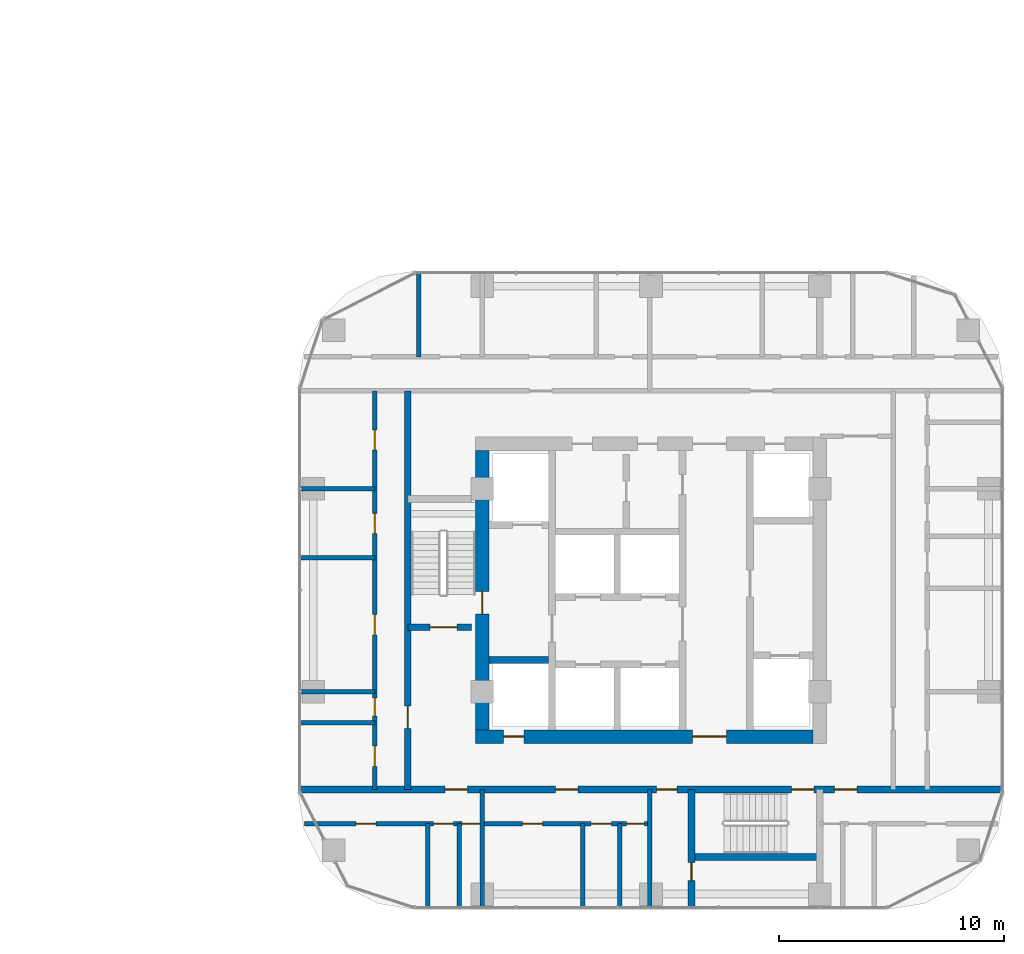
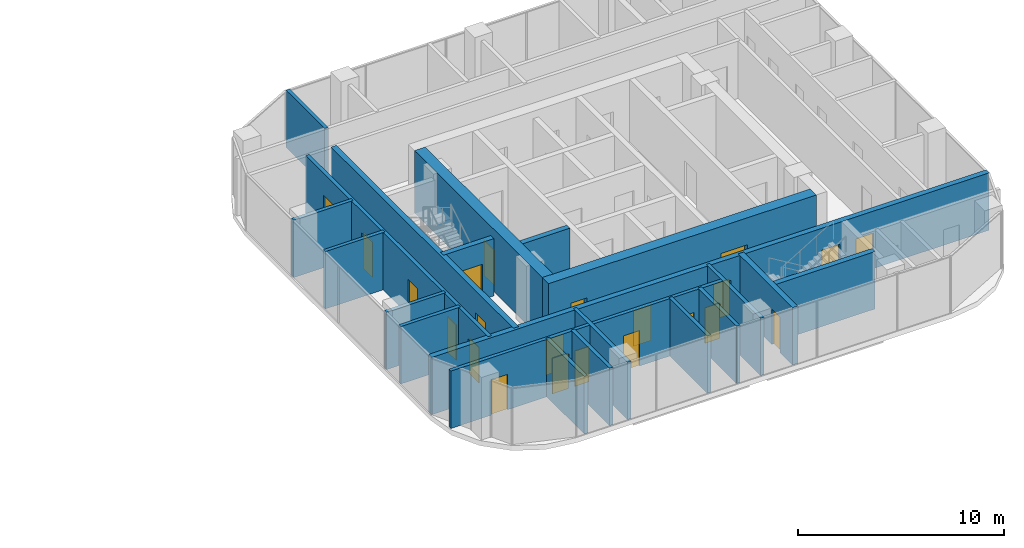
# One storey, part 19 of 30: 22 doors, 21 walls, 22 openings.
"""IFC4 building model written with IfcOpenShell, lengths in metres."""

from ifc_helpers import new_model, si_unit, direction, frame, frame_2d, origin, place, context, subcontext, project, spatial, rectangle, extrude, material, layer, layer_set, type_object, element, fill, save


model = new_model("IFC4")

# Units and contexts
model_context = context("Model", 3, precision=1e-05, world=origin(), true_north=direction((0.0, 1.0)))
body_context = subcontext(model_context, "Body", "Model", "MODEL_VIEW")
ifc_project = project(units=[si_unit("LENGTHUNIT", "METRE"), si_unit("AREAUNIT", "SQUARE_METRE"), si_unit("VOLUMEUNIT", "CUBIC_METRE"), si_unit("PLANEANGLEUNIT", "RADIAN"), si_unit("MASSUNIT", "GRAM", prefix="KILO")], contexts=[model_context])

# Site, building, storey
site_placement = place(None, origin())
site = spatial("IfcSite", under=ifc_project, at=site_placement, CompositionType="ELEMENT")
building_placement = place(site_placement, origin())
building = spatial("IfcBuilding", under=site, at=building_placement, Name="Ogive Portal Towers", CompositionType="ELEMENT")
storey_placement = place(building_placement, frame((0.0, 0.0, 37.199951171875)))
storey = spatial("IfcBuildingStorey", under=building, at=storey_placement, Name="L07", CompositionType="ELEMENT", Elevation=37.199951171875)

# Wall
ifc_material_1 = material(Name="Concrete C60/75", Category="concrete")
ifc_layer_1 = layer(ifc_material_1, 0.300048828125)
ifc_layer_set_1 = layer_set([ifc_layer_1], Name="CORE WALL 300 C60")
wall_type_1 = type_object("IfcWallType", Name="CORE WALL 300 C60", PredefinedType="SHEAR", material=ifc_layer_set_1)
wall_1_placement = place(storey_placement, frame((129.300048828125, 27.89990234375, 0.0), z_axis=(0.0, 0.0, 1.0), x_axis=(1.0, 0.0, 0.0)))
element("IfcWall", 1, at=wall_1_placement, inside=storey, type_object=wall_type_1, Name="Tower B core wall BY4 L07", PredefinedType="SHEAR", context=body_context, shape_type="SweptSolid", body=[
    extrude(rectangle(XDim=2.64990234375, YDim=0.300048828125, at=frame_2d((1.324951171875, 0.0))), origin(), (0.0, 0.0, 1.0), 3.699951171875),
])

# Wall, opening, door
ifc_layer_2 = layer(ifc_material_1, 0.60009765625)
ifc_layer_set_2 = layer_set([ifc_layer_2], Name="CORE WALL 600 C60")
wall_type_2 = type_object("IfcWallType", Name="CORE WALL 600 C60", PredefinedType="SHEAR", material=ifc_layer_set_2)
wall_2_placement = place(storey_placement, frame((129.0, 24.800048828125, 0.0), z_axis=(0.0, 0.0, 1.0), x_axis=(0.0, 1.0, 0.0)))
wall_2 = element("IfcWall", 2, at=wall_2_placement, inside=storey, type_object=wall_type_2, Name="Tower B core wall BW L07", PredefinedType="SHEAR", context=body_context, shape_type="SweptSolid", body=[
    extrude(rectangle(XDim=12.39990234375, YDim=0.60009765625, at=frame_2d((6.199951171875, 0.0))), origin(), (0.0, 0.0, 1.0), 3.699951171875),
])
opening_1_placement = place(wall_2_placement, frame((5.14990234375, 0.0, 0.0)))
opening_1 = element("IfcOpeningElement", 3, at=opening_1_placement, cuts=wall_2, Name="Opening B01-046", PredefinedType="OPENING", context=body_context, shape_type="SweptSolid", body=[
    extrude(rectangle(XDim=1.0, YDim=2.10009765625, at=frame_2d((0.5, 1.050048828125))), frame((0.0, 0.31005859375, 0.0), z_axis=(0.0, -1.0, 0.0), x_axis=(1.0, 0.0, 0.0)), (0.0, 0.0, 1.0), 0.6201171875),
])
ifc_material_2 = material(Name="Steel fire door", Category="steel")
door_type_1 = type_object("IfcDoorType", Name="DT-SWING-1000x2100-FD90S", OperationType="SINGLE_SWING_LEFT", PredefinedType="DOOR", material=ifc_material_2)
door_1_placement = place(opening_1_placement, origin())
door_1 = element("IfcDoor", 4, at=door_1_placement, inside=storey, type_object=door_type_1, Name="Door B01-046", OperationType="SINGLE_SWING_RIGHT", OverallHeight=2.10009765625, OverallWidth=1.0, PredefinedType="DOOR", context=body_context, shape_type="SweptSolid", body=[
    extrude(rectangle(XDim=1.0, YDim=2.10009765625, at=frame_2d((0.5, 1.050048828125))), frame((0.0, 0.02490234375, 0.0), z_axis=(0.0, -1.0, 0.0), x_axis=(1.0, 0.0, 0.0)), (0.0, 0.0, 1.0), 0.050048828125),
])
fill(opening_1, door_1)

# Wall, openings, doors
wall_3_placement = place(storey_placement, frame((128.699951171875, 24.5, 0.0), z_axis=(0.0, 0.0, 1.0), x_axis=(1.0, 0.0, 0.0)))
wall_3 = element("IfcWall", 5, at=wall_3_placement, inside=storey, type_object=wall_type_2, Name="Tower B core wall BS L07", PredefinedType="SHEAR", context=body_context, shape_type="SweptSolid", body=[
    extrude(rectangle(XDim=15.0, YDim=0.60009765625, at=frame_2d((7.5, 0.0))), origin(), (0.0, 0.0, 1.0), 3.699951171875),
])
opening_2_placement = place(wall_3_placement, frame((9.64990234375, 0.0, 0.0)))
opening_2 = element("IfcOpeningElement", 6, at=opening_2_placement, cuts=wall_3, Name="Opening B01-047", PredefinedType="OPENING", context=body_context, shape_type="SweptSolid", body=[
    extrude(rectangle(XDim=1.5, YDim=2.10009765625, at=frame_2d((0.75, 1.050048828125))), frame((0.0, 0.31005859375, 0.0), z_axis=(0.0, -1.0, 0.0), x_axis=(1.0, 0.0, 0.0)), (0.0, 0.0, 1.0), 0.6201171875),
])
opening_3_placement = place(wall_3_placement, frame((1.25, 0.0, 0.0)))
opening_3 = element("IfcOpeningElement", 7, at=opening_3_placement, cuts=wall_3, Name="Opening B01-049", PredefinedType="OPENING", context=body_context, shape_type="SweptSolid", body=[
    extrude(rectangle(XDim=0.89990234375, YDim=2.10009765625, at=frame_2d((0.449951171875, 1.050048828125))), frame((0.0, 0.31005859375, 0.0), z_axis=(0.0, -1.0, 0.0), x_axis=(1.0, 0.0, 0.0)), (0.0, 0.0, 1.0), 0.6201171875),
])
door_type_2 = type_object("IfcDoorType", Name="DT-SWING-1500x2100-FD90S", OperationType="SINGLE_SWING_LEFT", PredefinedType="DOOR", material=ifc_material_2)
door_2_placement = place(opening_2_placement, origin())
door_2 = element("IfcDoor", 8, at=door_2_placement, inside=storey, type_object=door_type_2, Name="Door B01-047", OperationType="SINGLE_SWING_LEFT", OverallHeight=2.10009765625, OverallWidth=1.5, PredefinedType="DOOR", context=body_context, shape_type="SweptSolid", body=[
    extrude(rectangle(XDim=1.5, YDim=2.10009765625, at=frame_2d((0.75, 1.050048828125))), frame((0.0, 0.02490234375, 0.0), z_axis=(0.0, -1.0, 0.0), x_axis=(1.0, 0.0, 0.0)), (0.0, 0.0, 1.0), 0.050048828125),
])
fill(opening_2, door_2)
door_type_3 = type_object("IfcDoorType", Name="DT-SWING-900x2100-FD90S", OperationType="SINGLE_SWING_LEFT", PredefinedType="DOOR", material=ifc_material_2)
door_3_placement = place(opening_3_placement, origin())
door_3 = element("IfcDoor", 9, at=door_3_placement, inside=storey, type_object=door_type_3, Name="Riser access door B01-049", OperationType="SINGLE_SWING_LEFT", OverallHeight=2.10009765625, OverallWidth=0.89990234375, PredefinedType="DOOR", context=body_context, shape_type="SweptSolid", body=[
    extrude(rectangle(XDim=0.89990234375, YDim=2.10009765625, at=frame_2d((0.449951171875, 1.050048828125))), frame((0.0, 0.02490234375, 0.0), z_axis=(0.0, -1.0, 0.0), x_axis=(1.0, 0.0, 0.0)), (0.0, 0.0, 1.0), 0.050048828125),
])
fill(opening_3, door_3)

# Wall
ifc_material_3 = material(Name="Concrete C50/60", Category="concrete")
ifc_layer_3 = layer(ifc_material_3, 0.300048828125)
ifc_layer_set_3 = layer_set([ifc_layer_3], Name="STAIR WALL 300 C50")
wall_type_3 = type_object("IfcWallType", Name="STAIR WALL 300 C50", PredefinedType="SHEAR", material=ifc_layer_set_3)
wall_4_placement = place(storey_placement, frame((138.25, 19.14990234375, 0.0), z_axis=(0.0, 0.0, 1.0), x_axis=(1.0, 0.0, 0.0)))
element("IfcWall", 10, at=wall_4_placement, inside=storey, type_object=wall_type_3, Name="Stair wall ST-B2 L07", PredefinedType="SHEAR", context=body_context, shape_type="SweptSolid", body=[
    extrude(rectangle(XDim=5.75, YDim=0.300048828125, at=frame_2d((2.875, 0.0))), origin(), (0.0, 0.0, 1.0), 3.400146484375),
])

# Wall, openings, doors
wall_5_placement = place(storey_placement, frame((120.889892578125, 22.14990234375, 0.0), z_axis=(0.0, 0.0, 1.0), x_axis=(1.0, 0.0, 0.0)))
wall_5 = element("IfcWall", 11, at=wall_5_placement, inside=storey, type_object=wall_type_3, Name="Stair wall ST-B2 L07", PredefinedType="SHEAR", context=body_context, shape_type="SweptSolid", body=[
    extrude(rectangle(XDim=31.22021484375, YDim=0.300048828125, at=frame_2d((15.610107421875, 0.0))), origin(), (0.0, 0.0, 1.0), 3.400146484375),
])
opening_4_placement = place(wall_5_placement, frame((21.860107421875, 0.0, 0.0)))
opening_4 = element("IfcOpeningElement", 12, at=opening_4_placement, cuts=wall_5, Name="Opening B01-003", PredefinedType="OPENING", context=body_context, shape_type="SweptSolid", body=[
    extrude(rectangle(XDim=1.0, YDim=2.10009765625, at=frame_2d((0.5, 1.050048828125))), frame((0.0, 0.16015625, 0.0), z_axis=(0.0, -1.0, 0.0), x_axis=(1.0, 0.0, 0.0)), (0.0, 0.0, 1.0), 0.320068359375),
])
opening_5_placement = place(wall_5_placement, frame((6.4599609375, 0.0, 0.0)))
opening_5 = element("IfcOpeningElement", 13, at=opening_5_placement, cuts=wall_5, Name="Opening B01-016", PredefinedType="OPENING", context=body_context, shape_type="SweptSolid", body=[
    extrude(rectangle(XDim=1.0, YDim=2.10009765625, at=frame_2d((0.5, 1.050048828125))), frame((0.0, 0.16015625, 0.0), z_axis=(0.0, -1.0, 0.0), x_axis=(1.0, 0.0, 0.0)), (0.0, 0.0, 1.0), 0.320068359375),
])
opening_6_placement = place(wall_5_placement, frame((11.360107421875, 0.0, 0.0)))
opening_6 = element("IfcOpeningElement", 14, at=opening_6_placement, cuts=wall_5, Name="Opening B01-020", PredefinedType="OPENING", context=body_context, shape_type="SweptSolid", body=[
    extrude(rectangle(XDim=1.0, YDim=2.10009765625, at=frame_2d((0.5, 1.050048828125))), frame((0.0, 0.16015625, 0.0), z_axis=(0.0, -1.0, 0.0), x_axis=(1.0, 0.0, 0.0)), (0.0, 0.0, 1.0), 0.320068359375),
])
opening_7_placement = place(wall_5_placement, frame((23.760009765625, 0.0, 0.0)))
opening_7 = element("IfcOpeningElement", 15, at=opening_7_placement, cuts=wall_5, Name="Opening B01-024", PredefinedType="OPENING", context=body_context, shape_type="SweptSolid", body=[
    extrude(rectangle(XDim=1.0, YDim=2.10009765625, at=frame_2d((0.5, 1.050048828125))), frame((0.0, 0.16015625, 0.0), z_axis=(0.0, -1.0, 0.0), x_axis=(1.0, 0.0, 0.0)), (0.0, 0.0, 1.0), 0.320068359375),
])
opening_8_placement = place(wall_5_placement, frame((15.860107421875, 0.0, 0.0)))
opening_8 = element("IfcOpeningElement", 16, at=opening_8_placement, cuts=wall_5, Name="Opening B01-028", PredefinedType="OPENING", context=body_context, shape_type="SweptSolid", body=[
    extrude(rectangle(XDim=0.89990234375, YDim=2.10009765625, at=frame_2d((0.449951171875, 1.050048828125))), frame((0.0, 0.16015625, 0.0), z_axis=(0.0, -1.0, 0.0), x_axis=(1.0, 0.0, 0.0)), (0.0, 0.0, 1.0), 0.320068359375),
])
door_4_placement = place(opening_4_placement, origin())
door_4 = element("IfcDoor", 17, at=door_4_placement, inside=storey, type_object=door_type_1, Name="Door B01-003", OperationType="SINGLE_SWING_LEFT", OverallHeight=2.10009765625, OverallWidth=1.0, PredefinedType="DOOR", context=body_context, shape_type="SweptSolid", body=[
    extrude(rectangle(XDim=1.0, YDim=2.10009765625, at=frame_2d((0.5, 1.050048828125))), frame((0.0, 0.02490234375, 0.0), z_axis=(0.0, -1.0, 0.0), x_axis=(1.0, 0.0, 0.0)), (0.0, 0.0, 1.0), 0.050048828125),
])
fill(opening_4, door_4)
door_5_placement = place(opening_5_placement, origin())
door_5 = element("IfcDoor", 18, at=door_5_placement, inside=storey, type_object=door_type_1, Name="Door B01-016", OperationType="SINGLE_SWING_RIGHT", OverallHeight=2.10009765625, OverallWidth=1.0, PredefinedType="DOOR", context=body_context, shape_type="SweptSolid", body=[
    extrude(rectangle(XDim=1.0, YDim=2.10009765625, at=frame_2d((0.5, 1.050048828125))), frame((0.0, 0.02490234375, 0.0), z_axis=(0.0, -1.0, 0.0), x_axis=(1.0, 0.0, 0.0)), (0.0, 0.0, 1.0), 0.050048828125),
])
fill(opening_5, door_5)
door_6_placement = place(opening_6_placement, origin())
door_6 = element("IfcDoor", 19, at=door_6_placement, inside=storey, type_object=door_type_1, Name="Door B01-020", OperationType="SINGLE_SWING_RIGHT", OverallHeight=2.10009765625, OverallWidth=1.0, PredefinedType="DOOR", context=body_context, shape_type="SweptSolid", body=[
    extrude(rectangle(XDim=1.0, YDim=2.10009765625, at=frame_2d((0.5, 1.050048828125))), frame((0.0, 0.02490234375, 0.0), z_axis=(0.0, -1.0, 0.0), x_axis=(1.0, 0.0, 0.0)), (0.0, 0.0, 1.0), 0.050048828125),
])
fill(opening_6, door_6)
door_7_placement = place(opening_7_placement, origin())
door_7 = element("IfcDoor", 20, at=door_7_placement, inside=storey, type_object=door_type_1, Name="Door B01-024", OperationType="SINGLE_SWING_RIGHT", OverallHeight=2.10009765625, OverallWidth=1.0, PredefinedType="DOOR", context=body_context, shape_type="SweptSolid", body=[
    extrude(rectangle(XDim=1.0, YDim=2.10009765625, at=frame_2d((0.5, 1.050048828125))), frame((0.0, 0.02490234375, 0.0), z_axis=(0.0, -1.0, 0.0), x_axis=(1.0, 0.0, 0.0)), (0.0, 0.0, 1.0), 0.050048828125),
])
fill(opening_7, door_7)
door_8_placement = place(opening_8_placement, origin())
door_8 = element("IfcDoor", 21, at=door_8_placement, inside=storey, type_object=door_type_3, Name="Door B01-028", OperationType="SINGLE_SWING_RIGHT", OverallHeight=2.10009765625, OverallWidth=0.89990234375, PredefinedType="DOOR", context=body_context, shape_type="SweptSolid", body=[
    extrude(rectangle(XDim=0.89990234375, YDim=2.10009765625, at=frame_2d((0.449951171875, 1.050048828125))), frame((0.0, 0.02490234375, 0.0), z_axis=(0.0, -1.0, 0.0), x_axis=(1.0, 0.0, 0.0)), (0.0, 0.0, 1.0), 0.050048828125),
])
fill(opening_8, door_8)

# Wall, opening, door
wall_6_placement = place(storey_placement, frame((125.699951171875, 29.35009765625, 0.0), z_axis=(0.0, 0.0, 1.0), x_axis=(1.0, 0.0, 0.0)))
wall_6 = element("IfcWall", 22, at=wall_6_placement, inside=storey, type_object=wall_type_3, Name="Stair wall ST-B1 L07", PredefinedType="SHEAR", context=body_context, shape_type="SweptSolid", body=[
    extrude(rectangle(XDim=2.830078125, YDim=0.300048828125, at=frame_2d((1.4150390625, 0.0))), origin(), (0.0, 0.0, 1.0), 3.400146484375),
])
opening_9_placement = place(wall_6_placement, frame((0.97509765625, 0.0, 0.0)))
opening_9 = element("IfcOpeningElement", 23, at=opening_9_placement, cuts=wall_6, Name="Opening B01-002", PredefinedType="OPENING", context=body_context, shape_type="SweptSolid", body=[
    extrude(rectangle(XDim=1.199951171875, YDim=2.10009765625, at=frame_2d((0.60009765625, 1.050048828125))), frame((0.0, 0.16015625, 0.0), z_axis=(0.0, -1.0, 0.0), x_axis=(1.0, 0.0, 0.0)), (0.0, 0.0, 1.0), 0.320068359375),
])
door_type_4 = type_object("IfcDoorType", Name="DT-SWING-1200x2100-FD90S", OperationType="SINGLE_SWING_LEFT", PredefinedType="DOOR", material=ifc_material_2)
door_9_placement = place(opening_9_placement, origin())
door_9 = element("IfcDoor", 24, at=door_9_placement, inside=storey, type_object=door_type_4, Name="Door B01-002", OperationType="SINGLE_SWING_RIGHT", OverallHeight=2.10009765625, OverallWidth=1.199951171875, PredefinedType="DOOR", context=body_context, shape_type="SweptSolid", body=[
    extrude(rectangle(XDim=1.199951171875, YDim=2.10009765625, at=frame_2d((0.60009765625, 1.050048828125))), frame((0.0, 0.02490234375, 0.0), z_axis=(0.0, -1.0, 0.0), x_axis=(1.0, 0.0, 0.0)), (0.0, 0.0, 1.0), 0.050048828125),
])
fill(opening_9, door_9)

wall_7_placement = place(storey_placement, frame((125.699951171875, 22.14990234375, 0.0), z_axis=(0.0, 0.0, 1.0), x_axis=(0.0, 1.0, 0.0)))
wall_7 = element("IfcWall", 25, at=wall_7_placement, inside=storey, type_object=wall_type_3, Name="Stair wall ST-B1 L07", PredefinedType="SHEAR", context=body_context, shape_type="SweptSolid", body=[
    extrude(rectangle(XDim=17.7001953125, YDim=0.300048828125, at=frame_2d((8.85009765625, 0.0))), origin(), (0.0, 0.0, 1.0), 3.400146484375),
])
opening_10_placement = place(wall_7_placement, frame((2.699951171875, 0.0, 0.0)))
opening_10 = element("IfcOpeningElement", 26, at=opening_10_placement, cuts=wall_7, Name="Opening B01-030", PredefinedType="OPENING", context=body_context, shape_type="SweptSolid", body=[
    extrude(rectangle(XDim=1.0, YDim=2.10009765625, at=frame_2d((0.5, 1.050048828125))), frame((0.0, 0.16015625, 0.0), z_axis=(0.0, -1.0, 0.0), x_axis=(1.0, 0.0, 0.0)), (0.0, 0.0, 1.0), 0.320068359375),
])
door_10_placement = place(opening_10_placement, origin())
door_10 = element("IfcDoor", 27, at=door_10_placement, inside=storey, type_object=door_type_1, Name="Door B01-030", OperationType="SINGLE_SWING_RIGHT", OverallHeight=2.10009765625, OverallWidth=1.0, PredefinedType="DOOR", context=body_context, shape_type="SweptSolid", body=[
    extrude(rectangle(XDim=1.0, YDim=2.10009765625, at=frame_2d((0.5, 1.050048828125))), frame((0.0, 0.02490234375, 0.0), z_axis=(0.0, -1.0, 0.0), x_axis=(1.0, 0.0, 0.0)), (0.0, 0.0, 1.0), 0.050048828125),
])
fill(opening_10, door_10)

wall_8_placement = place(storey_placement, frame((138.300048828125, 16.889892578125, 0.0), z_axis=(0.0, 0.0, 1.0), x_axis=(0.0, 1.0, 0.0)))
wall_8 = element("IfcWall", 28, at=wall_8_placement, inside=storey, type_object=wall_type_3, Name="Stair wall ST-B2 L07", PredefinedType="SHEAR", context=body_context, shape_type="SweptSolid", body=[
    extrude(rectangle(XDim=5.260009765625, YDim=0.300048828125, at=frame_2d((2.6298828125, 0.0))), origin(), (0.0, 0.0, 1.0), 3.400146484375),
])
opening_11_placement = place(wall_8_placement, frame((1.2099609375, 0.0, 0.0)))
opening_11 = element("IfcOpeningElement", 29, at=opening_11_placement, cuts=wall_8, Name="Opening B01-029", PredefinedType="OPENING", context=body_context, shape_type="SweptSolid", body=[
    extrude(rectangle(XDim=0.800048828125, YDim=2.10009765625, at=frame_2d((0.39990234375, 1.050048828125))), frame((0.0, 0.16015625, 0.0), z_axis=(0.0, -1.0, 0.0), x_axis=(1.0, 0.0, 0.0)), (0.0, 0.0, 1.0), 0.320068359375),
])
door_type_5 = type_object("IfcDoorType", Name="DT-SWING-800x2100-FD90S", OperationType="SINGLE_SWING_LEFT", PredefinedType="DOOR", material=ifc_material_2)
door_11_placement = place(opening_11_placement, origin())
door_11 = element("IfcDoor", 30, at=door_11_placement, inside=storey, type_object=door_type_5, Name="Door B01-029", OperationType="SINGLE_SWING_LEFT", OverallHeight=2.10009765625, OverallWidth=0.800048828125, PredefinedType="DOOR", context=body_context, shape_type="SweptSolid", body=[
    extrude(rectangle(XDim=0.800048828125, YDim=2.10009765625, at=frame_2d((0.39990234375, 1.050048828125))), frame((0.0, 0.02490234375, 0.0), z_axis=(0.0, -1.0, 0.0), x_axis=(1.0, 0.0, 0.0)), (0.0, 0.0, 1.0), 0.050048828125),
])
fill(opening_11, door_11)

# Wall, openings, doors
ifc_material_4 = material(Name="Gypsum board partition on steel studs", Category="steel")
ifc_layer_4 = layer(ifc_material_4, 0.199951171875)
ifc_layer_set_4 = layer_set([ifc_layer_4], Name="WT-PART-200-EI 60")
wall_type_4 = type_object("IfcWallType", Name="WT-PART-200-EI 60", PredefinedType="PARTITIONING", material=ifc_layer_set_4)
wall_9_placement = place(storey_placement, frame((121.10791015625, 20.6298828125, 0.0), z_axis=(0.0, 0.0, 1.0), x_axis=(1.0, 0.0, 0.0)))
wall_9 = element("IfcWall", 31, at=wall_9_placement, inside=storey, type_object=wall_type_4, Name="Wall L07:w002", PredefinedType="PARTITIONING", context=body_context, shape_type="SweptSolid", body=[
    extrude(rectangle(XDim=15.39208984375, YDim=0.199951171875, at=frame_2d((7.696044921875, 0.0))), origin(), (0.0, 0.0, 1.0), 3.400146484375),
])
opening_12_placement = place(wall_9_placement, frame((2.283935546875, 0.0, 0.0)))
opening_12 = element("IfcOpeningElement", 32, at=opening_12_placement, cuts=wall_9, Name="Opening B01-017", PredefinedType="OPENING", context=body_context, shape_type="SweptSolid", body=[
    extrude(rectangle(XDim=0.89990234375, YDim=2.10009765625, at=frame_2d((0.449951171875, 1.050048828125))), frame((0.0, 0.10986328125, 0.0), z_axis=(0.0, -1.0, 0.0), x_axis=(1.0, 0.0, 0.0)), (0.0, 0.0, 1.0), 0.219970703125),
])
opening_13_placement = place(wall_9_placement, frame((5.72705078125, 0.0, 0.0)))
opening_13 = element("IfcOpeningElement", 33, at=opening_13_placement, cuts=wall_9, Name="Opening B01-018", PredefinedType="OPENING", context=body_context, shape_type="SweptSolid", body=[
    extrude(rectangle(XDim=0.89990234375, YDim=2.10009765625, at=frame_2d((0.449951171875, 1.050048828125))), frame((0.0, 0.10986328125, 0.0), z_axis=(0.0, -1.0, 0.0), x_axis=(1.0, 0.0, 0.0)), (0.0, 0.0, 1.0), 0.219970703125),
])
opening_14_placement = place(wall_9_placement, frame((6.988037109375, 0.0, 0.0)))
opening_14 = element("IfcOpeningElement", 34, at=opening_14_placement, cuts=wall_9, Name="Opening B01-019", PredefinedType="OPENING", context=body_context, shape_type="SweptSolid", body=[
    extrude(rectangle(XDim=0.800048828125, YDim=2.10009765625, at=frame_2d((0.39990234375, 1.050048828125))), frame((0.0, 0.10986328125, 0.0), z_axis=(0.0, -1.0, 0.0), x_axis=(1.0, 0.0, 0.0)), (0.0, 0.0, 1.0), 0.219970703125),
])
opening_15_placement = place(wall_9_placement, frame((9.679931640625, 0.0, 0.0)))
opening_15 = element("IfcOpeningElement", 35, at=opening_15_placement, cuts=wall_9, Name="Opening B01-021", PredefinedType="OPENING", context=body_context, shape_type="SweptSolid", body=[
    extrude(rectangle(XDim=0.89990234375, YDim=2.10009765625, at=frame_2d((0.449951171875, 1.050048828125))), frame((0.0, 0.10986328125, 0.0), z_axis=(0.0, -1.0, 0.0), x_axis=(1.0, 0.0, 0.0)), (0.0, 0.0, 1.0), 0.219970703125),
])
opening_16_placement = place(wall_9_placement, frame((12.73291015625, 0.0, 0.0)))
opening_16 = element("IfcOpeningElement", 36, at=opening_16_placement, cuts=wall_9, Name="Opening B01-022", PredefinedType="OPENING", context=body_context, shape_type="SweptSolid", body=[
    extrude(rectangle(XDim=0.89990234375, YDim=2.10009765625, at=frame_2d((0.449951171875, 1.050048828125))), frame((0.0, 0.10986328125, 0.0), z_axis=(0.0, -1.0, 0.0), x_axis=(1.0, 0.0, 0.0)), (0.0, 0.0, 1.0), 0.219970703125),
])
opening_17_placement = place(wall_9_placement, frame((14.294921875, 0.0, 0.0)))
opening_17 = element("IfcOpeningElement", 37, at=opening_17_placement, cuts=wall_9, Name="Opening B01-023", PredefinedType="OPENING", context=body_context, shape_type="SweptSolid", body=[
    extrude(rectangle(XDim=0.800048828125, YDim=2.10009765625, at=frame_2d((0.39990234375, 1.050048828125))), frame((0.0, 0.10986328125, 0.0), z_axis=(0.0, -1.0, 0.0), x_axis=(1.0, 0.0, 0.0)), (0.0, 0.0, 1.0), 0.219970703125),
])
door_type_6 = type_object("IfcDoorType", Name="DT-SWING-800x2100-FD60S", OperationType="SINGLE_SWING_LEFT", PredefinedType="DOOR", material=ifc_material_2)
door_12_placement = place(opening_14_placement, origin())
door_12 = element("IfcDoor", 38, at=door_12_placement, inside=storey, type_object=door_type_6, Name="Door B01-019", OperationType="SINGLE_SWING_LEFT", OverallHeight=2.10009765625, OverallWidth=0.800048828125, PredefinedType="DOOR", context=body_context, shape_type="SweptSolid", body=[
    extrude(rectangle(XDim=0.800048828125, YDim=2.10009765625, at=frame_2d((0.39990234375, 1.050048828125))), frame((0.0, 0.02490234375, 0.0), z_axis=(0.0, -1.0, 0.0), x_axis=(1.0, 0.0, 0.0)), (0.0, 0.0, 1.0), 0.050048828125),
])
fill(opening_14, door_12)
door_13_placement = place(opening_17_placement, origin())
door_13 = element("IfcDoor", 39, at=door_13_placement, inside=storey, type_object=door_type_6, Name="Door B01-023", OperationType="SINGLE_SWING_LEFT", OverallHeight=2.10009765625, OverallWidth=0.800048828125, PredefinedType="DOOR", context=body_context, shape_type="SweptSolid", body=[
    extrude(rectangle(XDim=0.800048828125, YDim=2.10009765625, at=frame_2d((0.39990234375, 1.050048828125))), frame((0.0, 0.02490234375, 0.0), z_axis=(0.0, -1.0, 0.0), x_axis=(1.0, 0.0, 0.0)), (0.0, 0.0, 1.0), 0.050048828125),
])
fill(opening_17, door_13)
door_type_7 = type_object("IfcDoorType", Name="DT-SWING-900x2100-FD60S", OperationType="SINGLE_SWING_LEFT", PredefinedType="DOOR", material=ifc_material_2)
door_14_placement = place(opening_12_placement, origin())
door_14 = element("IfcDoor", 40, at=door_14_placement, inside=storey, type_object=door_type_7, Name="Door B01-017", OperationType="SINGLE_SWING_LEFT", OverallHeight=2.10009765625, OverallWidth=0.89990234375, PredefinedType="DOOR", context=body_context, shape_type="SweptSolid", body=[
    extrude(rectangle(XDim=0.89990234375, YDim=2.10009765625, at=frame_2d((0.449951171875, 1.050048828125))), frame((0.0, 0.02490234375, 0.0), z_axis=(0.0, -1.0, 0.0), x_axis=(1.0, 0.0, 0.0)), (0.0, 0.0, 1.0), 0.050048828125),
])
fill(opening_12, door_14)
door_15_placement = place(opening_13_placement, origin())
door_15 = element("IfcDoor", 41, at=door_15_placement, inside=storey, type_object=door_type_7, Name="Door B01-018", OperationType="SINGLE_SWING_RIGHT", OverallHeight=2.10009765625, OverallWidth=0.89990234375, PredefinedType="DOOR", context=body_context, shape_type="SweptSolid", body=[
    extrude(rectangle(XDim=0.89990234375, YDim=2.10009765625, at=frame_2d((0.449951171875, 1.050048828125))), frame((0.0, 0.02490234375, 0.0), z_axis=(0.0, -1.0, 0.0), x_axis=(1.0, 0.0, 0.0)), (0.0, 0.0, 1.0), 0.050048828125),
])
fill(opening_13, door_15)
door_16_placement = place(opening_15_placement, origin())
door_16 = element("IfcDoor", 42, at=door_16_placement, inside=storey, type_object=door_type_7, Name="Door B01-021", OperationType="SINGLE_SWING_LEFT", OverallHeight=2.10009765625, OverallWidth=0.89990234375, PredefinedType="DOOR", context=body_context, shape_type="SweptSolid", body=[
    extrude(rectangle(XDim=0.89990234375, YDim=2.10009765625, at=frame_2d((0.449951171875, 1.050048828125))), frame((0.0, 0.02490234375, 0.0), z_axis=(0.0, -1.0, 0.0), x_axis=(1.0, 0.0, 0.0)), (0.0, 0.0, 1.0), 0.050048828125),
])
fill(opening_15, door_16)
door_17_placement = place(opening_16_placement, origin())
door_17 = element("IfcDoor", 43, at=door_17_placement, inside=storey, type_object=door_type_7, Name="Door B01-022", OperationType="SINGLE_SWING_RIGHT", OverallHeight=2.10009765625, OverallWidth=0.89990234375, PredefinedType="DOOR", context=body_context, shape_type="SweptSolid", body=[
    extrude(rectangle(XDim=0.89990234375, YDim=2.10009765625, at=frame_2d((0.449951171875, 1.050048828125))), frame((0.0, 0.02490234375, 0.0), z_axis=(0.0, -1.0, 0.0), x_axis=(1.0, 0.0, 0.0)), (0.0, 0.0, 1.0), 0.050048828125),
])
fill(opening_16, door_17)

# Walls
for number, where, z_axis, x_axis, name in (
    (44, (120.889892578125, 25.10595703125, 0.0), (0.0, 0.0, 1.0), (1.0, 0.0, 0.0), "Wall L07:w007"),
    (45, (120.889892578125, 26.5, 0.0), (0.0, 0.0, 1.0), (1.0, 0.0, 0.0), "Wall L07:w008"),
    (46, (120.889892578125, 32.43310546875, 0.0), (0.0, 0.0, 1.0), (1.0, 0.0, 0.0), "Wall L07:w012"),
    (47, (120.889892578125, 35.5, 0.0), (0.0, 0.0, 1.0), (1.0, 0.0, 0.0), "Wall L07:w015"),
):
    element("IfcWall", number, at=place(storey_placement, frame(where, z_axis=z_axis, x_axis=x_axis)), inside=storey, type_object=wall_type_4, Name=name, PredefinedType="PARTITIONING", context=body_context, shape_type="SweptSolid", body=[
        extrude(rectangle(XDim=3.340087890625, YDim=0.199951171875, at=frame_2d((1.669921875, 0.0))), origin(), (0.0, 0.0, 1.0), 3.400146484375),
    ])

# Wall, openings, doors
wall_10_placement = place(storey_placement, frame((124.22998046875, 22.14990234375, 0.0), z_axis=(0.0, 0.0, 1.0), x_axis=(0.0, 1.0, 0.0)))
wall_10 = element("IfcWall", 48, at=wall_10_placement, inside=storey, type_object=wall_type_4, Name="Wall L07:w022", PredefinedType="PARTITIONING", context=body_context, shape_type="SweptSolid", body=[
    extrude(rectangle(XDim=17.7001953125, YDim=0.199951171875, at=frame_2d((8.85009765625, 0.0))), origin(), (0.0, 0.0, 1.0), 3.400146484375),
])
opening_18_placement = place(wall_10_placement, frame((1.028076171875, 0.0, 0.0)))
opening_18 = element("IfcOpeningElement", 49, at=opening_18_placement, cuts=wall_10, Name="Opening B01-031", PredefinedType="OPENING", context=body_context, shape_type="SweptSolid", body=[
    extrude(rectangle(XDim=0.89990234375, YDim=2.10009765625, at=frame_2d((0.449951171875, 1.050048828125))), frame((0.0, 0.10986328125, 0.0), z_axis=(0.0, -1.0, 0.0), x_axis=(1.0, 0.0, 0.0)), (0.0, 0.0, 1.0), 0.219970703125),
])
opening_19_placement = place(wall_10_placement, frame((3.2529296875, 0.0, 0.0)))
opening_19 = element("IfcOpeningElement", 50, at=opening_19_placement, cuts=wall_10, Name="Opening B01-032", PredefinedType="OPENING", context=body_context, shape_type="SweptSolid", body=[
    extrude(rectangle(XDim=0.800048828125, YDim=2.10009765625, at=frame_2d((0.39990234375, 1.050048828125))), frame((0.0, 0.10986328125, 0.0), z_axis=(0.0, -1.0, 0.0), x_axis=(1.0, 0.0, 0.0)), (0.0, 0.0, 1.0), 0.219970703125),
])
opening_20_placement = place(wall_10_placement, frame((6.866943359375, 0.0, 0.0)))
opening_20 = element("IfcOpeningElement", 51, at=opening_20_placement, cuts=wall_10, Name="Opening B01-033", PredefinedType="OPENING", context=body_context, shape_type="SweptSolid", body=[
    extrude(rectangle(XDim=0.89990234375, YDim=2.10009765625, at=frame_2d((0.449951171875, 1.050048828125))), frame((0.0, 0.10986328125, 0.0), z_axis=(0.0, -1.0, 0.0), x_axis=(1.0, 0.0, 0.0)), (0.0, 0.0, 1.0), 0.219970703125),
])
opening_21_placement = place(wall_10_placement, frame((11.366943359375, 0.0, 0.0)))
opening_21 = element("IfcOpeningElement", 52, at=opening_21_placement, cuts=wall_10, Name="Opening B01-034", PredefinedType="OPENING", context=body_context, shape_type="SweptSolid", body=[
    extrude(rectangle(XDim=0.89990234375, YDim=2.10009765625, at=frame_2d((0.449951171875, 1.050048828125))), frame((0.0, 0.10986328125, 0.0), z_axis=(0.0, -1.0, 0.0), x_axis=(1.0, 0.0, 0.0)), (0.0, 0.0, 1.0), 0.219970703125),
])
opening_22_placement = place(wall_10_placement, frame((15.074951171875, 0.0, 0.0)))
opening_22 = element("IfcOpeningElement", 53, at=opening_22_placement, cuts=wall_10, Name="Opening B01-035", PredefinedType="OPENING", context=body_context, shape_type="SweptSolid", body=[
    extrude(rectangle(XDim=0.89990234375, YDim=2.10009765625, at=frame_2d((0.449951171875, 1.050048828125))), frame((0.0, 0.10986328125, 0.0), z_axis=(0.0, -1.0, 0.0), x_axis=(1.0, 0.0, 0.0)), (0.0, 0.0, 1.0), 0.219970703125),
])
door_18_placement = place(opening_19_placement, origin())
door_18 = element("IfcDoor", 54, at=door_18_placement, inside=storey, type_object=door_type_6, Name="Door B01-032", OperationType="SINGLE_SWING_RIGHT", OverallHeight=2.10009765625, OverallWidth=0.800048828125, PredefinedType="DOOR", context=body_context, shape_type="SweptSolid", body=[
    extrude(rectangle(XDim=0.800048828125, YDim=2.10009765625, at=frame_2d((0.39990234375, 1.050048828125))), frame((0.0, 0.02490234375, 0.0), z_axis=(0.0, -1.0, 0.0), x_axis=(1.0, 0.0, 0.0)), (0.0, 0.0, 1.0), 0.050048828125),
])
fill(opening_19, door_18)
door_19_placement = place(opening_18_placement, origin())
door_19 = element("IfcDoor", 55, at=door_19_placement, inside=storey, type_object=door_type_7, Name="Door B01-031", OperationType="SINGLE_SWING_LEFT", OverallHeight=2.10009765625, OverallWidth=0.89990234375, PredefinedType="DOOR", context=body_context, shape_type="SweptSolid", body=[
    extrude(rectangle(XDim=0.89990234375, YDim=2.10009765625, at=frame_2d((0.449951171875, 1.050048828125))), frame((0.0, 0.02490234375, 0.0), z_axis=(0.0, -1.0, 0.0), x_axis=(1.0, 0.0, 0.0)), (0.0, 0.0, 1.0), 0.050048828125),
])
fill(opening_18, door_19)
door_20_placement = place(opening_20_placement, origin())
door_20 = element("IfcDoor", 56, at=door_20_placement, inside=storey, type_object=door_type_7, Name="Door B01-033", OperationType="SINGLE_SWING_LEFT", OverallHeight=2.10009765625, OverallWidth=0.89990234375, PredefinedType="DOOR", context=body_context, shape_type="SweptSolid", body=[
    extrude(rectangle(XDim=0.89990234375, YDim=2.10009765625, at=frame_2d((0.449951171875, 1.050048828125))), frame((0.0, 0.02490234375, 0.0), z_axis=(0.0, -1.0, 0.0), x_axis=(1.0, 0.0, 0.0)), (0.0, 0.0, 1.0), 0.050048828125),
])
fill(opening_20, door_20)
door_21_placement = place(opening_21_placement, origin())
door_21 = element("IfcDoor", 57, at=door_21_placement, inside=storey, type_object=door_type_7, Name="Door B01-034", OperationType="SINGLE_SWING_RIGHT", OverallHeight=2.10009765625, OverallWidth=0.89990234375, PredefinedType="DOOR", context=body_context, shape_type="SweptSolid", body=[
    extrude(rectangle(XDim=0.89990234375, YDim=2.10009765625, at=frame_2d((0.449951171875, 1.050048828125))), frame((0.0, 0.02490234375, 0.0), z_axis=(0.0, -1.0, 0.0), x_axis=(1.0, 0.0, 0.0)), (0.0, 0.0, 1.0), 0.050048828125),
])
fill(opening_21, door_21)
door_22_placement = place(opening_22_placement, origin())
door_22 = element("IfcDoor", 58, at=door_22_placement, inside=storey, type_object=door_type_7, Name="Door B01-035", OperationType="SINGLE_SWING_LEFT", OverallHeight=2.10009765625, OverallWidth=0.89990234375, PredefinedType="DOOR", context=body_context, shape_type="SweptSolid", body=[
    extrude(rectangle(XDim=0.89990234375, YDim=2.10009765625, at=frame_2d((0.449951171875, 1.050048828125))), frame((0.0, 0.02490234375, 0.0), z_axis=(0.0, -1.0, 0.0), x_axis=(1.0, 0.0, 0.0)), (0.0, 0.0, 1.0), 0.050048828125),
])
fill(opening_22, door_22)

# Walls
for number, where, z_axis, x_axis, name in (
    (59, (126.173095703125, 41.3701171875, 0.0), (0.0, 0.0, 1.0), (0.0, 1.0, 0.0), "Wall L07:w024"),
    (60, (126.5791015625, 16.889892578125, 0.0), (0.0, 0.0, 1.0), (0.0, 1.0, 0.0), "Wall L07:w025"),
    (61, (127.990966796875, 16.889892578125, 0.0), (0.0, 0.0, 1.0), (0.0, 1.0, 0.0), "Wall L07:w026"),
):
    element("IfcWall", number, at=place(storey_placement, frame(where, z_axis=z_axis, x_axis=x_axis)), inside=storey, type_object=wall_type_4, Name=name, PredefinedType="PARTITIONING", context=body_context, shape_type="SweptSolid", body=[
        extrude(rectangle(XDim=3.739990234375, YDim=0.199951171875, at=frame_2d((1.8701171875, 0.0))), origin(), (0.0, 0.0, 1.0), 3.400146484375),
    ])
wall_11_placement = place(storey_placement, frame((129.0, 16.889892578125, 0.0), z_axis=(0.0, 0.0, 1.0), x_axis=(0.0, 1.0, 0.0)))
element("IfcWall", 62, at=wall_11_placement, inside=storey, type_object=wall_type_4, Name="Wall L07:w029", PredefinedType="PARTITIONING", context=body_context, shape_type="SweptSolid", body=[
    extrude(rectangle(XDim=5.260009765625, YDim=0.199951171875, at=frame_2d((2.6298828125, 0.0))), origin(), (0.0, 0.0, 1.0), 3.400146484375),
])
for number, where, z_axis, x_axis, name in (
    (63, (133.47509765625, 16.889892578125, 0.0), (0.0, 0.0, 1.0), (0.0, 1.0, 0.0), "Wall L07:w031"),
    (64, (135.10693359375, 16.889892578125, 0.0), (0.0, 0.0, 1.0), (0.0, 1.0, 0.0), "Wall L07:w033"),
):
    element("IfcWall", number, at=place(storey_placement, frame(where, z_axis=z_axis, x_axis=x_axis)), inside=storey, type_object=wall_type_4, Name=name, PredefinedType="PARTITIONING", context=body_context, shape_type="SweptSolid", body=[
        extrude(rectangle(XDim=3.739990234375, YDim=0.199951171875, at=frame_2d((1.8701171875, 0.0))), origin(), (0.0, 0.0, 1.0), 3.400146484375),
    ])
wall_12_placement = place(storey_placement, frame((136.449951171875, 16.889892578125, 0.0), z_axis=(0.0, 0.0, 1.0), x_axis=(0.0, 1.0, 0.0)))
element("IfcWall", 65, at=wall_12_placement, inside=storey, type_object=wall_type_4, Name="Wall L07:w035", PredefinedType="PARTITIONING", context=body_context, shape_type="SweptSolid", body=[
    extrude(rectangle(XDim=5.260009765625, YDim=0.199951171875, at=frame_2d((2.6298828125, 0.0))), origin(), (0.0, 0.0, 1.0), 3.400146484375),
])

save(model, "model.ifc")
